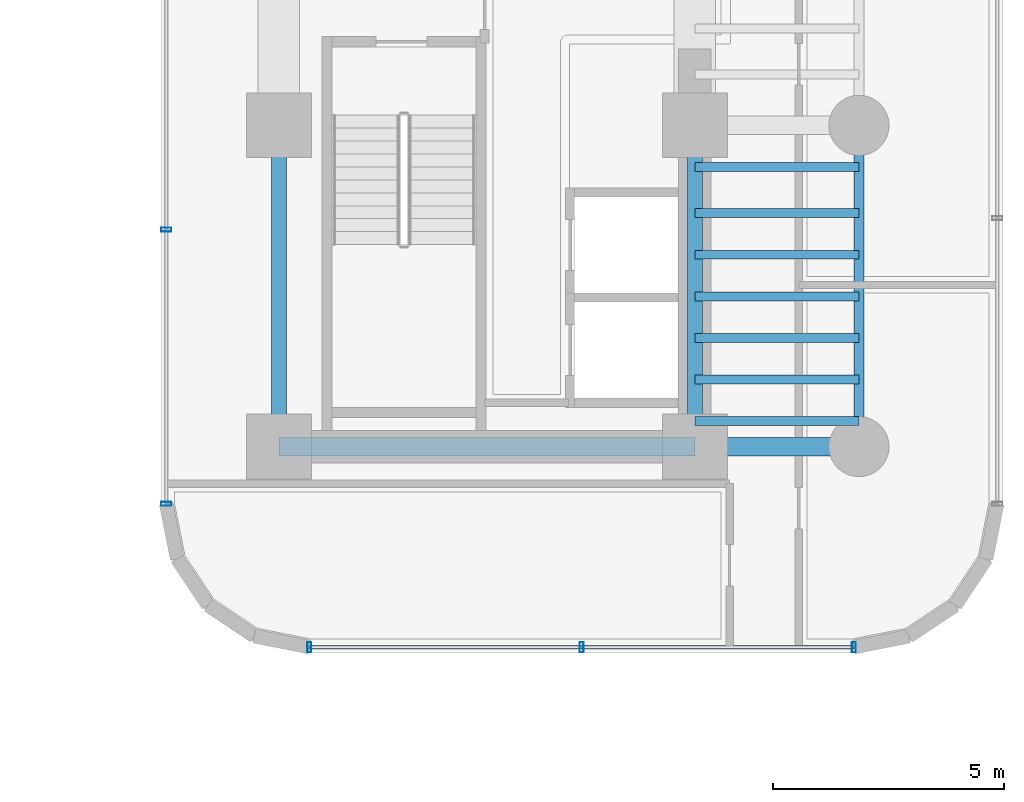
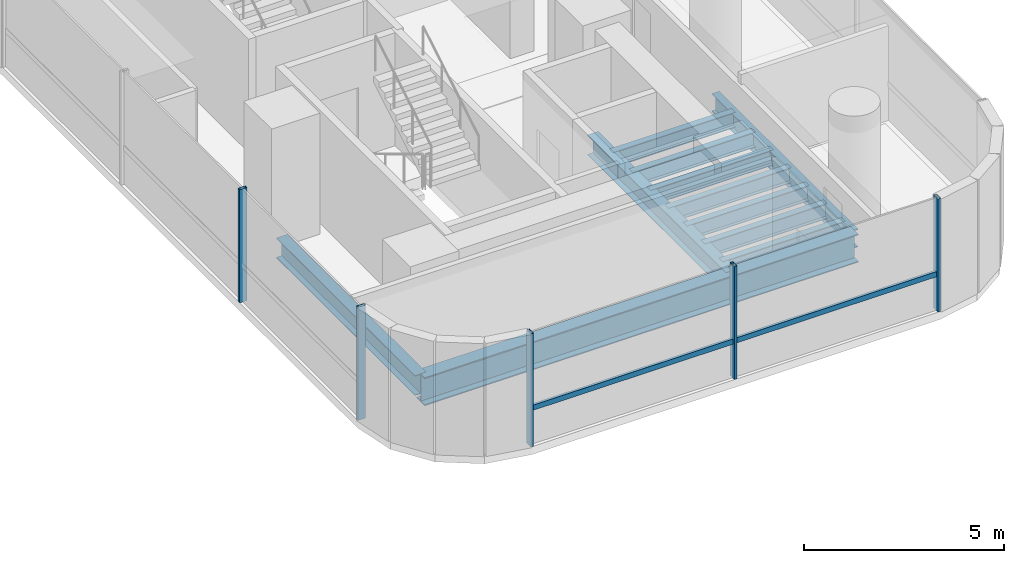
# One storey, part 12 of 38: 12 beams, 6 members, 2 elements without a shape of their own.
"""IFC4 building model written with IfcOpenShell, lengths in metres."""

from ifc_helpers import new_model, si_unit, direction, frame, origin, origin_2d, place, context, subcontext, project, spatial, hollow_rectangle, i_section, extrude, source, transform, mapped, material, material_profile, profile_set, type_object, element, aggregate, save


model = new_model("IFC4")

# Units and contexts
model_context = context("Model", 3, precision=1e-05, world=origin(), true_north=direction((0.0, 1.0)))
body_context = subcontext(model_context, "Body", "Model", "MODEL_VIEW")
ifc_project = project(units=[si_unit("LENGTHUNIT", "METRE"), si_unit("AREAUNIT", "SQUARE_METRE"), si_unit("VOLUMEUNIT", "CUBIC_METRE"), si_unit("PLANEANGLEUNIT", "RADIAN"), si_unit("MASSUNIT", "GRAM", prefix="KILO")], contexts=[model_context])

# Site, building, storey
site_placement = place(None, origin())
site = spatial("IfcSite", under=ifc_project, at=site_placement, CompositionType="ELEMENT")
building_placement = place(site_placement, origin())
building = spatial("IfcBuilding", under=site, at=building_placement, Name="Valdorenza Pilgrim Sanctuary Tower", CompositionType="ELEMENT")
storey_placement = place(building_placement, frame((0.0, 0.0, 37.10009765625)))
storey = spatial("IfcBuildingStorey", under=building, at=storey_placement, Name="L08", CompositionType="ELEMENT", Elevation=37.10009765625)

# Beams
ifc_material_1 = material(Name="Steel ASTM A992 Grade 50", Category="steel")
ifc_material_profile_1 = material_profile(ifc_material_1, i_section(OverallWidth=0.323974609375, OverallDepth=0.611083984375, WebThickness=0.0126953125, FlangeThickness=0.01904296875, at=origin_2d()), Name="W24X104")
ifc_profile_set_1 = profile_set([ifc_material_profile_1], Name="Steel ASTM A992 Grade 50")
beam_type_1 = type_object("IfcBeamType", Name="STR-BM-GRD-W24B", PredefinedType="BEAM", material=ifc_profile_set_1)
shared_shape_1 = source(origin(), body_context, "Body", "SweptSolid", [
    extrude(i_section(OverallWidth=0.323974609375, OverallDepth=0.611083984375, WebThickness=0.0126953125, FlangeThickness=0.01904296875, at=origin_2d()), origin(), (0.0, 0.0, 1.0), 6.949951171875),
])
for number, where, z_axis, x_axis, name in (
    (1, (15.85009765625, -9.550048828125, -0.545654296875), (0.0, 1.0, 0.0), (-1.0, 0.0, 0.0), "L08 Core Tie Girder CB-W-S1M0"),
    (2, (24.85009765625, -9.550048828125, -0.545654296875), (0.0, 1.0, 0.0), (-1.0, 0.0, 0.0), "L08 Core Tie Girder CB-E-S1M0"),
):
    element("IfcBeam", number, at=place(storey_placement, frame(where, z_axis=z_axis, x_axis=x_axis)), inside=storey, type_object=beam_type_1, Name=name, PredefinedType="BEAM", context=body_context, shape_type="MappedRepresentation", body=[
        mapped(shared_shape_1, transform((0.0, 0.0, 0.0), x_axis=(1.0, 0.0, 0.0), y_axis=(0.0, 1.0, 0.0), z_axis=(0.0, 0.0, 1.0), scale=1.0)),
    ])
ifc_material_profile_2 = material_profile(ifc_material_1, i_section(OverallWidth=0.214111328125, OverallDepth=0.549072265625, WebThickness=0.0146484375, FlangeThickness=0.023681640625, at=origin_2d()), Name="W21X93")
ifc_profile_set_2 = profile_set([ifc_material_profile_2], Name="Steel ASTM A992 Grade 50")
beam_type_2 = type_object("IfcBeamType", Name="STR-BM-SPN-W21A", PredefinedType="SPANDREL", material=ifc_profile_set_2)
shared_shape_2 = source(origin(), body_context, "Body", "SweptSolid", [
    extrude(i_section(OverallWidth=0.214111328125, OverallDepth=0.549072265625, WebThickness=0.0146484375, FlangeThickness=0.023681640625, at=origin_2d()), origin(), (0.0, 0.0, 1.0), 6.949951171875),
])
beam_1_placement = place(storey_placement, frame((28.39990234375, -9.550048828125, -0.5146484375), z_axis=(0.0, 1.0, 0.0), x_axis=(-1.0, 0.0, 0.0)))
element("IfcBeam", 3, at=beam_1_placement, inside=storey, type_object=beam_type_2, Name="L08 Spandrel Beam WB-E-S1M0", PredefinedType="SPANDREL", context=body_context, shape_type="MappedRepresentation", body=[
    mapped(shared_shape_2, transform((0.0, 0.0, 0.0), x_axis=(1.0, 0.0, 0.0), y_axis=(0.0, 1.0, 0.0), z_axis=(0.0, 0.0, 1.0), scale=1.0)),
])
ifc_material_profile_3 = material_profile(ifc_material_1, i_section(OverallWidth=0.193115234375, OverallDepth=0.466064453125, WebThickness=0.011474609375, FlangeThickness=0.01904296875, at=origin_2d()), Name="W18X65")
ifc_profile_set_3 = profile_set([ifc_material_profile_3], Name="Steel ASTM A992 Grade 50")
beam_type_3 = type_object("IfcBeamType", Name="STR-BM-JST-W18A", PredefinedType="JOIST", material=ifc_profile_set_3)
shared_shape_3 = source(origin(), body_context, "Body", "SweptSolid", [
    extrude(i_section(OverallWidth=0.193115234375, OverallDepth=0.466064453125, WebThickness=0.011474609375, FlangeThickness=0.01904296875, at=origin_2d()), origin(), (0.0, 0.0, 1.0), 3.5498046875),
])
for number, where, z_axis, x_axis, name in (
    (4, (24.85009765625, -9.0, -0.47314453125), (1.0, 0.0, 0.0), (0.0, 1.0, 0.0), "L08 Composite Floor Joist JST-WB-1"),
    (5, (24.85009765625, -8.10009765625, -0.47314453125), (1.0, 0.0, 0.0), (0.0, 1.0, 0.0), "L08 Composite Floor Joist JST-WB-2"),
    (6, (24.85009765625, -7.199951171875, -0.47314453125), (1.0, 0.0, 0.0), (0.0, 1.0, 0.0), "L08 Composite Floor Joist JST-WB-3"),
    (7, (24.85009765625, -6.300048828125, -0.47314453125), (1.0, 0.0, 0.0), (0.0, 1.0, 0.0), "L08 Composite Floor Joist JST-WB-4"),
    (8, (24.85009765625, -5.39990234375, -0.47314453125), (1.0, 0.0, 0.0), (0.0, 1.0, 0.0), "L08 Composite Floor Joist JST-WB-5"),
    (9, (24.85009765625, -4.5, -0.47314453125), (1.0, 0.0, 0.0), (0.0, 1.0, 0.0), "L08 Composite Floor Joist JST-WB-6"),
    (10, (24.85009765625, -3.5, -0.47314453125), (1.0, 0.0, 0.0), (0.0, 1.0, 0.0), "L08 Composite Floor Joist JST-WB-7"),
):
    element("IfcBeam", number, at=place(storey_placement, frame(where, z_axis=z_axis, x_axis=x_axis)), inside=storey, type_object=beam_type_3, Name=name, PredefinedType="JOIST", context=body_context, shape_type="MappedRepresentation", body=[
        mapped(shared_shape_3, transform((0.0, 0.0, 0.0), x_axis=(1.0, 0.0, 0.0), y_axis=(0.0, 1.0, 0.0), z_axis=(0.0, 0.0, 1.0), scale=1.0)),
    ])
ifc_material_profile_4 = material_profile(ifc_material_1, i_section(OverallWidth=0.39990234375, OverallDepth=0.862060546875, WebThickness=0.019775390625, FlangeThickness=0.032470703125, at=origin_2d()), Name="W33X221")
ifc_profile_set_4 = profile_set([ifc_material_profile_4], Name="Steel ASTM A992 Grade 50")
beam_type_4 = type_object("IfcBeamType", Name="STR-BM-GRD-W33", PredefinedType="BEAM", material=ifc_profile_set_4)
shared_shape_4 = source(origin(), body_context, "Body", "SweptSolid", [
    extrude(i_section(OverallWidth=0.39990234375, OverallDepth=0.862060546875, WebThickness=0.019775390625, FlangeThickness=0.032470703125, at=origin_2d()), origin(), (0.0, 0.0, 1.0), 9.0),
])
beam_2_placement = place(storey_placement, frame((15.85009765625, -9.550048828125, -0.671142578125), z_axis=(1.0, 0.0, 0.0), x_axis=(0.0, 1.0, 0.0)))
element("IfcBeam", 11, at=beam_2_placement, inside=storey, type_object=beam_type_4, Name="L08 Floor Girder CB-XC-S1", PredefinedType="BEAM", context=body_context, shape_type="MappedRepresentation", body=[
    mapped(shared_shape_4, transform((0.0, 0.0, 0.0), x_axis=(1.0, 0.0, 0.0), y_axis=(0.0, 1.0, 0.0), z_axis=(0.0, 0.0, 1.0), scale=1.0)),
])
shared_shape_5 = source(origin(), body_context, "Body", "SweptSolid", [
    extrude(i_section(OverallWidth=0.39990234375, OverallDepth=0.862060546875, WebThickness=0.019775390625, FlangeThickness=0.032470703125, at=origin_2d()), origin(), (0.0, 0.0, 1.0), 3.5498046875),
])
beam_3_placement = place(storey_placement, frame((24.85009765625, -9.550048828125, -0.671142578125), z_axis=(1.0, 0.0, 0.0), x_axis=(0.0, 1.0, 0.0)))
element("IfcBeam", 12, at=beam_3_placement, inside=storey, type_object=beam_type_4, Name="L08 Floor Girder WB-XE-S1", PredefinedType="BEAM", context=body_context, shape_type="MappedRepresentation", body=[
    mapped(shared_shape_5, transform((0.0, 0.0, 0.0), x_axis=(1.0, 0.0, 0.0), y_axis=(0.0, 1.0, 0.0), z_axis=(0.0, 0.0, 1.0), scale=1.0)),
])

# Curtain wall, members
ifc_material_2 = material(Name="Curtain-wall IGU glazing", Category="glass")
curtain_wall_type = type_object("IfcCurtainWallType", Name="CW-SYS-03", PredefinedType="NOTDEFINED", material=ifc_material_2)
curtain_wall_1_placement = place(storey_placement, origin())
curtain_wall_1 = element("IfcCurtainWall", 13, at=curtain_wall_1_placement, inside=storey, type_object=curtain_wall_type, Name="L08 Curtain Wall CW-L08-1-26", PredefinedType="NOTDEFINED")
ifc_material_3 = material(Name="Anodised aluminium AW-6060", Category="aluminium")
ifc_material_profile_5 = material_profile(ifc_material_3, hollow_rectangle(XDim=0.0849609375, YDim=0.219970703125, WallThickness=0.0048828125, at=origin_2d()), Name="ALU-M 220x85x5")
ifc_profile_set_5 = profile_set([ifc_material_profile_5], Name="Anodised aluminium AW-6060")
member_type_1 = type_object("IfcMemberType", Name="CW-MUL-03", PredefinedType="MULLION", material=ifc_profile_set_5)
shared_shape_6 = source(origin(), body_context, "Body", "SweptSolid", [
    extrude(hollow_rectangle(XDim=0.0849609375, YDim=0.219970703125, WallThickness=0.0048828125, at=origin_2d()), origin(), (0.0, 0.0, 1.0), 3.4599609375),
])
member_1_placement = place(storey_placement, frame((28.289306640625, -13.889892578125, 0.0), z_axis=(0.0, 0.0, 1.0), x_axis=(-1.0, 0.0, 0.0)))
member_1 = element("IfcMember", 14, at=member_1_placement, type_object=member_type_1, Name="CW-L08-1-26 Mullion 1", PredefinedType="MULLION", context=body_context, shape_type="MappedRepresentation", body=[
    mapped(shared_shape_6, transform((0.0, 0.0, 0.0), x_axis=(1.0, 0.0, 0.0), y_axis=(0.0, 1.0, 0.0), z_axis=(0.0, 0.0, 1.0), scale=1.0)),
])
member_2_placement = place(storey_placement, frame((22.39990234375, -13.889892578125, 0.0), z_axis=(0.0, 0.0, 1.0), x_axis=(-1.0, 0.0, 0.0)))
member_2 = element("IfcMember", 15, at=member_2_placement, type_object=member_type_1, Name="CW-L08-1-26 Mullion 2", PredefinedType="MULLION", context=body_context, shape_type="MappedRepresentation", body=[
    mapped(shared_shape_6, transform((0.0, 0.0, 0.0), x_axis=(1.0, 0.0, 0.0), y_axis=(0.0, 1.0, 0.0), z_axis=(0.0, 0.0, 1.0), scale=1.0)),
])
member_3_placement = place(storey_placement, frame((16.5107421875, -13.889892578125, 0.0), z_axis=(0.0, 0.0, 1.0), x_axis=(-1.0, 0.0, 0.0)))
member_3 = element("IfcMember", 16, at=member_3_placement, type_object=member_type_1, Name="CW-L08-1-26 Mullion 3", PredefinedType="MULLION", context=body_context, shape_type="MappedRepresentation", body=[
    mapped(shared_shape_6, transform((0.0, 0.0, 0.0), x_axis=(1.0, 0.0, 0.0), y_axis=(0.0, 1.0, 0.0), z_axis=(0.0, 0.0, 1.0), scale=1.0)),
])

curtain_wall_2_placement = place(storey_placement, origin())
curtain_wall_2 = element("IfcCurtainWall", 17, at=curtain_wall_2_placement, inside=storey, type_object=curtain_wall_type, Name="L08 Curtain Wall CW-L08-1-31", PredefinedType="NOTDEFINED")
member_4_placement = place(storey_placement, frame((13.409912109375, -10.789306640625, 0.0), z_axis=(0.0, 0.0, 1.0), x_axis=(0.0, 1.0, 0.0)))
member_4 = element("IfcMember", 18, at=member_4_placement, type_object=member_type_1, Name="CW-L08-1-31 Mullion 1", PredefinedType="MULLION", context=body_context, shape_type="MappedRepresentation", body=[
    mapped(shared_shape_6, transform((0.0, 0.0, 0.0), x_axis=(1.0, 0.0, 0.0), y_axis=(0.0, 1.0, 0.0), z_axis=(0.0, 0.0, 1.0), scale=1.0)),
])
member_5_placement = place(storey_placement, frame((13.409912109375, -4.85595703125, 0.0), z_axis=(0.0, 0.0, 1.0), x_axis=(0.0, 1.0, 0.0)))
member_5 = element("IfcMember", 19, at=member_5_placement, type_object=member_type_1, Name="CW-L08-1-31 Mullion 2", PredefinedType="MULLION", context=body_context, shape_type="MappedRepresentation", body=[
    mapped(shared_shape_6, transform((0.0, 0.0, 0.0), x_axis=(1.0, 0.0, 0.0), y_axis=(0.0, 1.0, 0.0), z_axis=(0.0, 0.0, 1.0), scale=1.0)),
])
aggregate(curtain_wall_2, [member_4, member_5])

# Member
ifc_material_profile_6 = material_profile(ifc_material_3, hollow_rectangle(XDim=0.074951171875, YDim=0.159912109375, WallThickness=0.00390625, at=origin_2d()), Name="ALU-T 160x75x4")
ifc_profile_set_6 = profile_set([ifc_material_profile_6], Name="Anodised aluminium AW-6060")
member_type_2 = type_object("IfcMemberType", Name="CW-TRN-03", PredefinedType="USERDEFINED", material=ifc_profile_set_6)
shared_shape_7 = source(origin(), body_context, "Body", "SweptSolid", [
    extrude(hollow_rectangle(XDim=0.074951171875, YDim=0.159912109375, WallThickness=0.00390625, at=origin_2d()), origin(), (0.0, 0.0, 1.0), 11.778564453125),
])
member_6_placement = place(storey_placement, frame((28.289306640625, -13.889892578125, 1.119873046875), z_axis=(-1.0, 0.0, 0.0), x_axis=(0.0, -1.0, 0.0)))
member_6 = element("IfcMember", 20, at=member_6_placement, type_object=member_type_2, Name="CW-L08-1-26 Transom 1", ObjectType="TRANSOM", PredefinedType="USERDEFINED", context=body_context, shape_type="MappedRepresentation", body=[
    mapped(shared_shape_7, transform((0.0, 0.0, 0.0), x_axis=(1.0, 0.0, 0.0), y_axis=(0.0, 1.0, 0.0), z_axis=(0.0, 0.0, 1.0), scale=1.0)),
])

aggregate(curtain_wall_1, [member_1, member_2, member_3, member_6])

save(model, "model.ifc")
